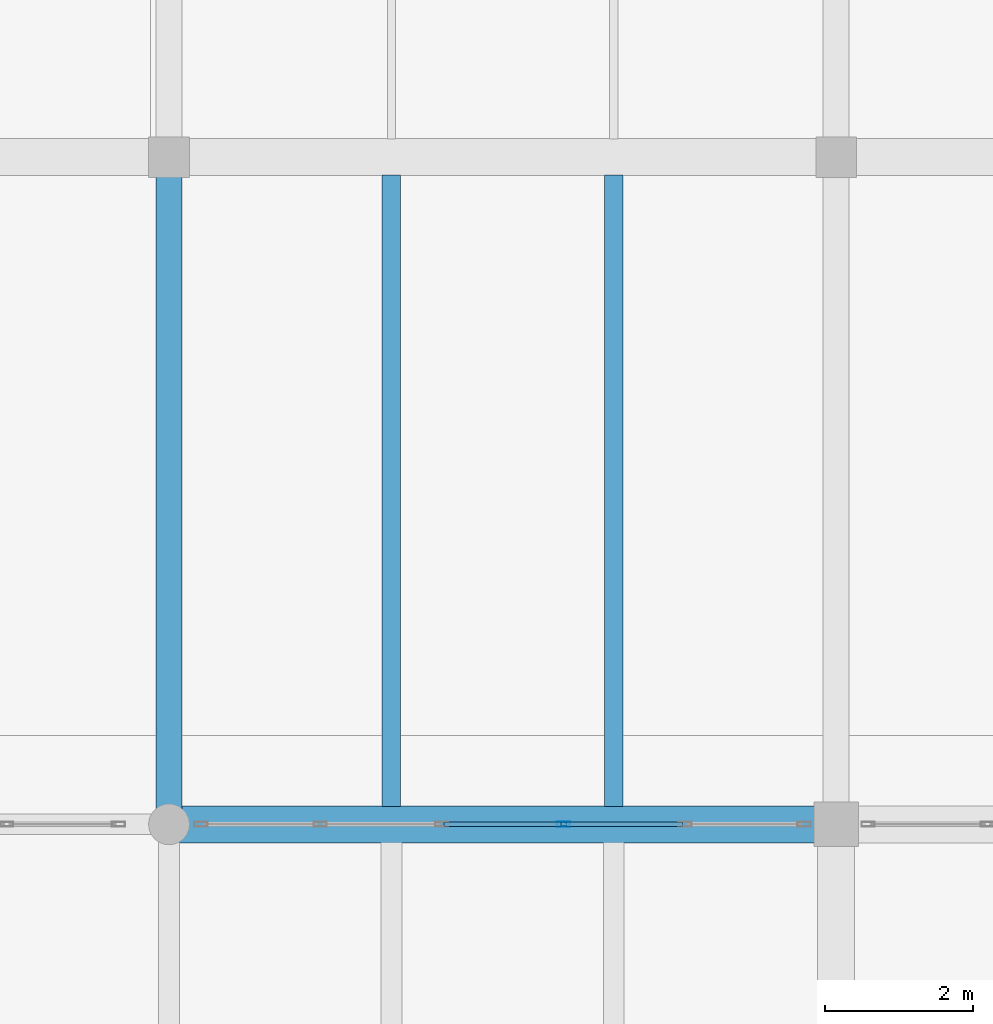
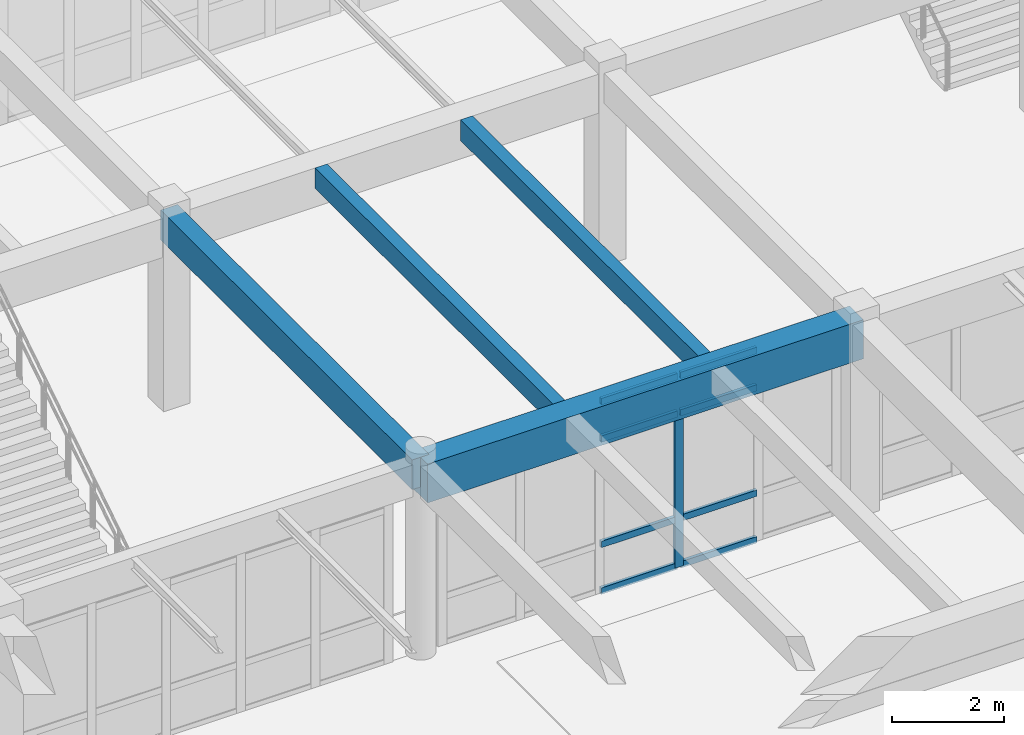
# One storey, part 81 of 186: 9 members, 4 beams, 1 element without a shape of its own.
"""IFC4 building model written with IfcOpenShell, lengths in metres."""

from ifc_helpers import new_model, si_unit, direction, frame, origin, origin_2d, place, context, subcontext, project, spatial, rectangle, hollow_rectangle, extrude, material, layer, layer_set, material_profile, profile_set, type_object, element, aggregate, save


model = new_model("IFC4")

# Units and contexts
model_context = context("Model", 3, precision=1e-05, world=origin(), true_north=direction((0.0, 1.0)))
body_context = subcontext(model_context, "Body", "Model", "MODEL_VIEW")
ifc_project = project(units=[si_unit("LENGTHUNIT", "METRE"), si_unit("AREAUNIT", "SQUARE_METRE"), si_unit("VOLUMEUNIT", "CUBIC_METRE"), si_unit("PLANEANGLEUNIT", "RADIAN"), si_unit("MASSUNIT", "GRAM", prefix="KILO")], contexts=[model_context])

# Site, building, storey
site_placement = place(None, origin())
site = spatial("IfcSite", under=ifc_project, at=site_placement, CompositionType="ELEMENT")
building_placement = place(site_placement, origin())
building = spatial("IfcBuilding", under=site, at=building_placement, Name="Ornek Quay Market", CompositionType="ELEMENT")
storey_placement = place(building_placement, origin())
storey = spatial("IfcBuildingStorey", under=building, at=storey_placement, Name="L00", CompositionType="ELEMENT", Elevation=0.0)

# Beams
ifc_material_1 = material(Name="Concrete C35/45", Category="concrete")
ifc_material_profile_1 = material_profile(ifc_material_1, rectangle(XDim=0.35009765625, YDim=0.64990234375, at=origin_2d()), Name="RC 350x650", Category="concrete")
ifc_profile_set_1 = profile_set([ifc_material_profile_1], Name="Concrete C35/45")
beam_type_1 = type_object("IfcBeamType", Name="BM-CONC-350x650", PredefinedType="BEAM", material=ifc_profile_set_1)
beam_1_placement = place(storey_placement, frame((72.0, 92.0, 3.9150390625), z_axis=(0.0, 1.0, 0.0), x_axis=(-1.0, 0.0, 0.0)))
element("IfcBeam", 1, at=beam_1_placement, inside=storey, type_object=beam_type_1, Name="Primary beam B-CN1-101", PredefinedType="BEAM", context=body_context, shape_type="SweptSolid", body=[
    extrude(rectangle(XDim=0.35009765625, YDim=0.64990234375, at=origin_2d()), origin(), (0.0, 0.0, 1.0), 9.0),
])
ifc_material_2 = material(Name="Concrete C40/50", Category="concrete")
ifc_material_profile_2 = material_profile(ifc_material_2, rectangle(XDim=0.5, YDim=0.85009765625, at=origin_2d()), Name="RC 500x850", Category="concrete")
ifc_profile_set_2 = profile_set([ifc_material_profile_2], Name="Concrete C40/50")
beam_type_2 = type_object("IfcBeamType", Name="BM-GAL-500x850", PredefinedType="BEAM", material=ifc_profile_set_2)
beam_2_placement = place(storey_placement, frame((72.0, 92.0, 3.81494140625), z_axis=(1.0, 0.0, 0.0), x_axis=(0.0, 1.0, 0.0)))
element("IfcBeam", 2, at=beam_2_placement, inside=storey, type_object=beam_type_2, Name="Primary beam B-GL1-051", PredefinedType="BEAM", context=body_context, shape_type="SweptSolid", body=[
    extrude(rectangle(XDim=0.5, YDim=0.85009765625, at=origin_2d()), origin(), (0.0, 0.0, 1.0), 9.0),
])
ifc_material_profile_3 = material_profile(ifc_material_1, rectangle(XDim=0.25, YDim=0.449951171875, at=origin_2d()), Name="RC 250x450", Category="concrete")
ifc_profile_set_3 = profile_set([ifc_material_profile_3], Name="Concrete C35/45")
beam_type_3 = type_object("IfcBeamType", Name="BM-SEC-250x450", PredefinedType="JOIST", material=ifc_profile_set_3)
for number, where, z_axis, x_axis, name in (
    (3, (75.0, 92.241943359375, 4.014892578125), (0.0, 1.0, 0.0), (-1.0, 0.0, 0.0), "Secondary joist B-SC3-003"),
    (4, (78.0, 92.241943359375, 4.014892578125), (0.0, 1.0, 0.0), (-1.0, 0.0, 0.0), "Secondary joist B-SC3-004"),
):
    element("IfcBeam", number, at=place(storey_placement, frame(where, z_axis=z_axis, x_axis=x_axis)), inside=storey, type_object=beam_type_3, Name=name, PredefinedType="JOIST", context=body_context, shape_type="SweptSolid", body=[
        extrude(rectangle(XDim=0.25, YDim=0.449951171875, at=origin_2d()), origin(), (0.0, 0.0, 1.0), 8.51611328125),
    ])

# Curtain wall, members
ifc_material_3 = material(Name="Anodised bronze aluminium and triple low-e glass", Category="aluminium")
ifc_layer = layer(ifc_material_3, 0.139892578125, Name="Anodised bronze aluminium and triple low-e glass", Category="aluminium")
ifc_layer_set = layer_set([ifc_layer], Name="Anodised bronze aluminium and triple low-e glass")
curtain_wall_type = type_object("IfcCurtainWallType", Name="CW-GALLERY-INT", PredefinedType="USERDEFINED", material=ifc_layer_set)
curtain_wall_placement = place(storey_placement, origin())
curtain_wall = element("IfcCurtainWall", 5, at=curtain_wall_placement, inside=storey, type_object=curtain_wall_type, Name="Curtain wall CW-122", ObjectType="CURTAIN WALL", PredefinedType="USERDEFINED")
ifc_material_4 = material(Name="Anodised aluminium 6063-T6", Category="aluminium")
ifc_material_profile_4 = material_profile(ifc_material_4, hollow_rectangle(XDim=0.06494140625, YDim=0.179931640625, WallThickness=0.00439453125, at=origin_2d()), Name="CW-MUL-65x180", Category="aluminium")
ifc_profile_set_4 = profile_set([ifc_material_profile_4], Name="Anodised aluminium 6063-T6")
member_type_1 = type_object("IfcMemberType", Name="CW-MUL-65x180", PredefinedType="MULLION", material=ifc_profile_set_4)
member_1_placement = place(storey_placement, frame((77.320068359375, 92.0, 0.0), z_axis=(0.0, 0.0, 1.0), x_axis=(0.0, 1.0, 0.0)))
member_1 = element("IfcMember", 6, at=member_1_placement, type_object=member_type_1, Name="CW-122 mullion 4", PredefinedType="MULLION", context=body_context, shape_type="SweptSolid", body=[
    extrude(hollow_rectangle(XDim=0.06494140625, YDim=0.179931640625, WallThickness=0.00439453125, at=origin_2d()), origin(), (0.0, 0.0, 1.0), 4.199951171875),
])
ifc_material_profile_5 = material_profile(ifc_material_4, hollow_rectangle(XDim=0.06494140625, YDim=0.139892578125, WallThickness=0.00439453125, at=origin_2d()), Name="CW-TRN-65x140", Category="aluminium")
ifc_profile_set_5 = profile_set([ifc_material_profile_5], Name="Anodised aluminium 6063-T6")
member_type_2 = type_object("IfcMemberType", Name="CW-TRN-65x140", PredefinedType="USERDEFINED", material=ifc_profile_set_5)
member_2_placement = place(storey_placement, frame((75.71240234375, 92.0, 0.032470703125), z_axis=(1.0, 0.0, 0.0), x_axis=(0.0, 1.0, 0.0)))
member_2 = element("IfcMember", 7, at=member_2_placement, type_object=member_type_2, Name="CW-122 transom 3.1", ObjectType="TRANSOM", PredefinedType="USERDEFINED", context=body_context, shape_type="SweptSolid", body=[
    extrude(hollow_rectangle(XDim=0.06494140625, YDim=0.139892578125, WallThickness=0.00439453125, at=origin_2d()), origin(), (0.0, 0.0, 1.0), 1.5751953125),
])
member_3_placement = place(storey_placement, frame((75.71240234375, 92.0, 1.050048828125), z_axis=(1.0, 0.0, 0.0), x_axis=(0.0, 1.0, 0.0)))
member_3 = element("IfcMember", 8, at=member_3_placement, type_object=member_type_2, Name="CW-122 transom 3.2", ObjectType="TRANSOM", PredefinedType="USERDEFINED", context=body_context, shape_type="SweptSolid", body=[
    extrude(hollow_rectangle(XDim=0.06494140625, YDim=0.139892578125, WallThickness=0.00439453125, at=origin_2d()), origin(), (0.0, 0.0, 1.0), 1.5751953125),
])
member_4_placement = place(storey_placement, frame((75.71240234375, 92.0, 3.35009765625), z_axis=(1.0, 0.0, 0.0), x_axis=(0.0, 1.0, 0.0)))
member_4 = element("IfcMember", 9, at=member_4_placement, type_object=member_type_2, Name="CW-122 transom 3.3", ObjectType="TRANSOM", PredefinedType="USERDEFINED", context=body_context, shape_type="SweptSolid", body=[
    extrude(hollow_rectangle(XDim=0.06494140625, YDim=0.139892578125, WallThickness=0.00439453125, at=origin_2d()), origin(), (0.0, 0.0, 1.0), 1.5751953125),
])
member_5_placement = place(storey_placement, frame((75.71240234375, 92.0, 4.16748046875), z_axis=(1.0, 0.0, 0.0), x_axis=(0.0, 1.0, 0.0)))
member_5 = element("IfcMember", 10, at=member_5_placement, type_object=member_type_2, Name="CW-122 transom 3.4", ObjectType="TRANSOM", PredefinedType="USERDEFINED", context=body_context, shape_type="SweptSolid", body=[
    extrude(hollow_rectangle(XDim=0.06494140625, YDim=0.139892578125, WallThickness=0.00439453125, at=origin_2d()), origin(), (0.0, 0.0, 1.0), 1.5751953125),
])
member_6_placement = place(storey_placement, frame((77.3525390625, 92.0, 0.032470703125), z_axis=(1.0, 0.0, 0.0), x_axis=(0.0, 1.0, 0.0)))
member_6 = element("IfcMember", 11, at=member_6_placement, type_object=member_type_2, Name="CW-122 transom 4.1", ObjectType="TRANSOM", PredefinedType="USERDEFINED", context=body_context, shape_type="SweptSolid", body=[
    extrude(hollow_rectangle(XDim=0.06494140625, YDim=0.139892578125, WallThickness=0.00439453125, at=origin_2d()), origin(), (0.0, 0.0, 1.0), 1.574951171875),
])
member_7_placement = place(storey_placement, frame((77.3525390625, 92.0, 1.050048828125), z_axis=(1.0, 0.0, 0.0), x_axis=(0.0, 1.0, 0.0)))
member_7 = element("IfcMember", 12, at=member_7_placement, type_object=member_type_2, Name="CW-122 transom 4.2", ObjectType="TRANSOM", PredefinedType="USERDEFINED", context=body_context, shape_type="SweptSolid", body=[
    extrude(hollow_rectangle(XDim=0.06494140625, YDim=0.139892578125, WallThickness=0.00439453125, at=origin_2d()), origin(), (0.0, 0.0, 1.0), 1.574951171875),
])
member_8_placement = place(storey_placement, frame((77.3525390625, 92.0, 3.35009765625), z_axis=(1.0, 0.0, 0.0), x_axis=(0.0, 1.0, 0.0)))
member_8 = element("IfcMember", 13, at=member_8_placement, type_object=member_type_2, Name="CW-122 transom 4.3", ObjectType="TRANSOM", PredefinedType="USERDEFINED", context=body_context, shape_type="SweptSolid", body=[
    extrude(hollow_rectangle(XDim=0.06494140625, YDim=0.139892578125, WallThickness=0.00439453125, at=origin_2d()), origin(), (0.0, 0.0, 1.0), 1.574951171875),
])
member_9_placement = place(storey_placement, frame((77.3525390625, 92.0, 4.16748046875), z_axis=(1.0, 0.0, 0.0), x_axis=(0.0, 1.0, 0.0)))
member_9 = element("IfcMember", 14, at=member_9_placement, type_object=member_type_2, Name="CW-122 transom 4.4", ObjectType="TRANSOM", PredefinedType="USERDEFINED", context=body_context, shape_type="SweptSolid", body=[
    extrude(hollow_rectangle(XDim=0.06494140625, YDim=0.139892578125, WallThickness=0.00439453125, at=origin_2d()), origin(), (0.0, 0.0, 1.0), 1.574951171875),
])
aggregate(curtain_wall, [member_1, member_2, member_3, member_4, member_5, member_6, member_7, member_8, member_9])

save(model, "model.ifc")
